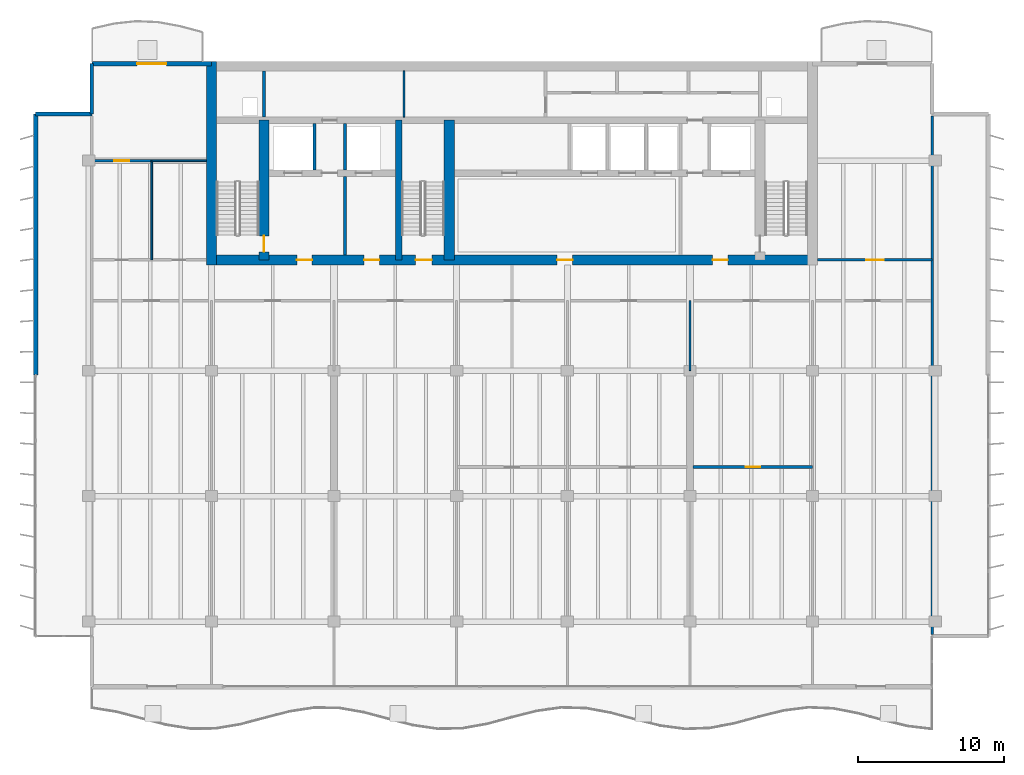
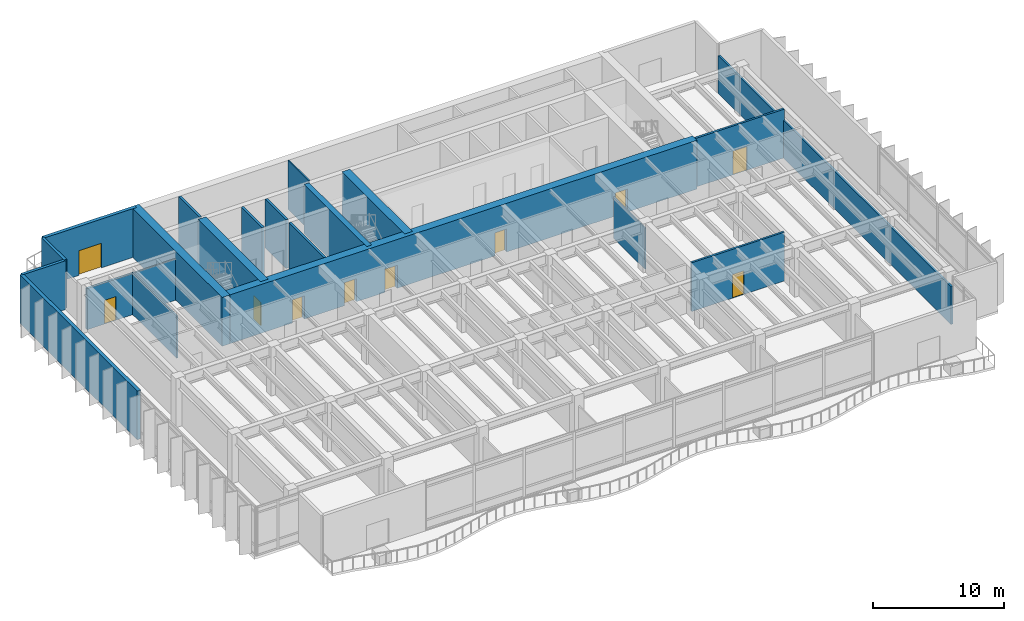
# One storey, part 9 of 15: 21 walls, 10 doors, 10 openings.
"""IFC4 building model written with IfcOpenShell, lengths in metres."""

from ifc_helpers import new_model, si_unit, direction, frame, frame_2d, origin, place, context, subcontext, project, spatial, rectangle, extrude, material, layer, layer_set, type_object, element, fill, save


model = new_model("IFC4")

# Units and contexts
model_context = context("Model", 3, precision=1e-05, world=origin(), true_north=direction((0.0, 1.0)))
body_context = subcontext(model_context, "Body", "Model", "MODEL_VIEW")
ifc_project = project(units=[si_unit("LENGTHUNIT", "METRE"), si_unit("AREAUNIT", "SQUARE_METRE"), si_unit("VOLUMEUNIT", "CUBIC_METRE"), si_unit("PLANEANGLEUNIT", "RADIAN"), si_unit("MASSUNIT", "GRAM", prefix="KILO")], contexts=[model_context])

# Site, building, storey
site_placement = place(None, origin())
site = spatial("IfcSite", under=ifc_project, at=site_placement, CompositionType="ELEMENT")
building_placement = place(site_placement, origin())
building = spatial("IfcBuilding", under=site, at=building_placement, Name="Caelmar Bay Residences", CompositionType="ELEMENT")
storey_placement = place(building_placement, frame((0.0, 0.0, 183.60009765625)))
storey = spatial("IfcBuildingStorey", under=building, at=storey_placement, Name="L51", CompositionType="ELEMENT", Elevation=183.60009765625)

# Wall, openings, doors
ifc_material_1 = material(Name="Concrete f'c 55 MPa (8,000 psi)", Category="concrete")
ifc_layer_1 = layer(ifc_material_1, 0.699951171875)
ifc_layer_set_1 = layer_set([ifc_layer_1], Name="Concrete f'c 55 MPa (8,000 psi)")
wall_type_1 = type_object("IfcWallType", Name="SW-COR-700", PredefinedType="SHEAR", material=ifc_layer_set_1)
wall_1_placement = place(storey_placement, frame((17.949951171875, 37.0, 0.0), z_axis=(0.0, 0.0, 1.0), x_axis=(1.0, 0.0, 0.0)))
wall_1 = element("IfcWall", 1, at=wall_1_placement, inside=storey, type_object=wall_type_1, Name="L51 Rear Core South Shear Wall", PredefinedType="SHEAR", context=body_context, shape_type="SweptSolid", body=[
    extrude(rectangle(XDim=41.900146484375, YDim=0.699951171875, at=frame_2d((20.9501953125, 0.0))), origin(), (0.0, 0.0, 1.0), 4.5498046875),
])
opening_1_placement = place(wall_1_placement, frame((14.35009765625, 0.0, 0.0)))
opening_1 = element("IfcOpeningElement", 2, at=opening_1_placement, cuts=wall_1, Name="Opening D-L51-107", PredefinedType="OPENING", context=body_context, shape_type="SweptSolid", body=[
    extrude(rectangle(XDim=1.10009765625, YDim=2.14990234375, at=frame_2d((0.550048828125, 1.074951171875))), frame((0.0, 0.35986328125, 0.0), z_axis=(0.0, -1.0, 0.0), x_axis=(1.0, 0.0, 0.0)), (0.0, 0.0, 1.0), 0.719970703125),
])
opening_2_placement = place(wall_1_placement, frame((6.199951171875, 0.0, 0.0)))
opening_2 = element("IfcOpeningElement", 3, at=opening_2_placement, cuts=wall_1, Name="Opening D-L51-108", PredefinedType="OPENING", context=body_context, shape_type="SweptSolid", body=[
    extrude(rectangle(XDim=1.050048828125, YDim=2.14990234375, at=frame_2d((0.52490234375, 1.074951171875))), frame((0.0, 0.35986328125, 0.0), z_axis=(0.0, -1.0, 0.0), x_axis=(1.0, 0.0, 0.0)), (0.0, 0.0, 1.0), 0.719970703125),
])
opening_3_placement = place(wall_1_placement, frame((34.699951171875, 0.0, 0.0)))
opening_3 = element("IfcOpeningElement", 4, at=opening_3_placement, cuts=wall_1, Name="Opening D-L51-111", PredefinedType="OPENING", context=body_context, shape_type="SweptSolid", body=[
    extrude(rectangle(XDim=1.050048828125, YDim=2.14990234375, at=frame_2d((0.52490234375, 1.074951171875))), frame((0.0, 0.35986328125, 0.0), z_axis=(0.0, -1.0, 0.0), x_axis=(1.0, 0.0, 0.0)), (0.0, 0.0, 1.0), 0.719970703125),
])
opening_4_placement = place(wall_1_placement, frame((10.8125, 0.0, 0.0)))
opening_4 = element("IfcOpeningElement", 5, at=opening_4_placement, cuts=wall_1, Name="Opening D-L51-114", PredefinedType="OPENING", context=body_context, shape_type="SweptSolid", body=[
    extrude(rectangle(XDim=1.050048828125, YDim=2.14990234375, at=frame_2d((0.52490234375, 1.074951171875))), frame((0.0, 0.35986328125, 0.0), z_axis=(0.0, -1.0, 0.0), x_axis=(1.0, 0.0, 0.0)), (0.0, 0.0, 1.0), 0.719970703125),
])
opening_5_placement = place(wall_1_placement, frame((24.050048828125, 0.0, 0.0)))
opening_5 = element("IfcOpeningElement", 6, at=opening_5_placement, cuts=wall_1, Name="Opening D-L51-115", PredefinedType="OPENING", context=body_context, shape_type="SweptSolid", body=[
    extrude(rectangle(XDim=1.050048828125, YDim=2.14990234375, at=frame_2d((0.52490234375, 1.074951171875))), frame((0.0, 0.35986328125, 0.0), z_axis=(0.0, -1.0, 0.0), x_axis=(1.0, 0.0, 0.0)), (0.0, 0.0, 1.0), 0.719970703125),
])
ifc_material_2 = material(Name="Fire-rated steel and walnut architectural door assembly", Category="steel")
ifc_layer_2 = layer(ifc_material_2, 0.050048828125)
ifc_layer_set_2 = layer_set([ifc_layer_2], Name="Fire-rated steel and walnut architectural door assembly")
door_type_1 = type_object("IfcDoorType", Name="D-FSAE-1050", OperationType="NOTDEFINED", PredefinedType="DOOR", material=ifc_layer_set_2)
door_1_placement = place(opening_2_placement, origin())
door_1 = element("IfcDoor", 7, at=door_1_placement, inside=storey, type_object=door_type_1, Name="L51 Firefighting Lobby West Door", OperationType="SINGLE_SWING_RIGHT", OverallHeight=2.14990234375, OverallWidth=1.050048828125, PredefinedType="DOOR", context=body_context, shape_type="SweptSolid", body=[
    extrude(rectangle(XDim=1.050048828125, YDim=2.14990234375, at=frame_2d((0.52490234375, 1.074951171875))), frame((0.0, 0.02490234375, 0.0), z_axis=(0.0, -1.0, 0.0), x_axis=(1.0, 0.0, 0.0)), (0.0, 0.0, 1.0), 0.050048828125),
])
fill(opening_2, door_1)
door_2_placement = place(opening_3_placement, origin())
door_2 = element("IfcDoor", 8, at=door_2_placement, inside=storey, type_object=door_type_1, Name="L51 Firefighting Lobby East Door", OperationType="SINGLE_SWING_LEFT", OverallHeight=2.14990234375, OverallWidth=1.050048828125, PredefinedType="DOOR", context=body_context, shape_type="SweptSolid", body=[
    extrude(rectangle(XDim=1.050048828125, YDim=2.14990234375, at=frame_2d((0.52490234375, 1.074951171875))), frame((0.0, 0.02490234375, 0.0), z_axis=(0.0, -1.0, 0.0), x_axis=(1.0, 0.0, 0.0)), (0.0, 0.0, 1.0), 0.050048828125),
])
fill(opening_3, door_2)
door_3_placement = place(opening_4_placement, origin())
door_3 = element("IfcDoor", 9, at=door_3_placement, inside=storey, type_object=door_type_1, Name="L51 West Lift Lobby Door", OperationType="SINGLE_SWING_RIGHT", OverallHeight=2.14990234375, OverallWidth=1.050048828125, PredefinedType="DOOR", context=body_context, shape_type="SweptSolid", body=[
    extrude(rectangle(XDim=1.050048828125, YDim=2.14990234375, at=frame_2d((0.52490234375, 1.074951171875))), frame((0.0, 0.02490234375, 0.0), z_axis=(0.0, -1.0, 0.0), x_axis=(1.0, 0.0, 0.0)), (0.0, 0.0, 1.0), 0.050048828125),
])
fill(opening_4, door_3)
door_4_placement = place(opening_5_placement, origin())
door_4 = element("IfcDoor", 10, at=door_4_placement, inside=storey, type_object=door_type_1, Name="L51 Passenger Lift Lobby Door", OperationType="SINGLE_SWING_LEFT", OverallHeight=2.14990234375, OverallWidth=1.050048828125, PredefinedType="DOOR", context=body_context, shape_type="SweptSolid", body=[
    extrude(rectangle(XDim=1.050048828125, YDim=2.14990234375, at=frame_2d((0.52490234375, 1.074951171875))), frame((0.0, 0.02490234375, 0.0), z_axis=(0.0, -1.0, 0.0), x_axis=(1.0, 0.0, 0.0)), (0.0, 0.0, 1.0), 0.050048828125),
])
fill(opening_5, door_4)
ifc_layer_3 = layer(ifc_material_2, 0.050048828125)
ifc_layer_set_3 = layer_set([ifc_layer_3], Name="Fire-rated steel and walnut architectural door assembly")
door_type_2 = type_object("IfcDoorType", Name="D-STAIR-1100", OperationType="NOTDEFINED", PredefinedType="DOOR", material=ifc_layer_set_3)
door_5_placement = place(opening_1_placement, origin())
door_5 = element("IfcDoor", 11, at=door_5_placement, inside=storey, type_object=door_type_2, Name="L51 Exit Stair ST3 Door", OperationType="SINGLE_SWING_LEFT", OverallHeight=2.14990234375, OverallWidth=1.10009765625, PredefinedType="DOOR", context=body_context, shape_type="SweptSolid", body=[
    extrude(rectangle(XDim=1.10009765625, YDim=2.14990234375, at=frame_2d((0.550048828125, 1.074951171875))), frame((0.0, 0.02490234375, 0.0), z_axis=(0.0, -1.0, 0.0), x_axis=(1.0, 0.0, 0.0)), (0.0, 0.0, 1.0), 0.050048828125),
])
fill(opening_1, door_5)

# Wall
wall_2_placement = place(storey_placement, frame((18.300048828125, 36.64990234375, 0.0), z_axis=(0.0, 0.0, 1.0), x_axis=(0.0, 1.0, 0.0)))
element("IfcWall", 12, at=wall_2_placement, inside=storey, type_object=wall_type_1, Name="L51 Rear Core West Shear Wall", PredefinedType="SHEAR", context=body_context, shape_type="SweptSolid", body=[
    extrude(rectangle(XDim=13.9501953125, YDim=0.699951171875, at=frame_2d((6.97509765625, 0.0))), origin(), (0.0, 0.0, 1.0), 4.5498046875),
])

# Wall, opening, door
wall_3_placement = place(storey_placement, frame((21.89990234375, 37.0, 0.0), z_axis=(0.0, 0.0, 1.0), x_axis=(0.0, 1.0, 0.0)))
wall_3 = element("IfcWall", 13, at=wall_3_placement, inside=storey, type_object=wall_type_1, Name="L51 Core Structural Web Wall ST1E", PredefinedType="SHEAR", context=body_context, shape_type="SweptSolid", body=[
    extrude(rectangle(XDim=9.574951171875, YDim=0.699951171875, at=frame_2d((4.78759765625, 0.0))), origin(), (0.0, 0.0, 1.0), 4.5498046875),
])
opening_6_placement = place(wall_3_placement, frame((0.550048828125, 0.0, 0.0)))
opening_6 = element("IfcOpeningElement", 14, at=opening_6_placement, cuts=wall_3, Name="Opening D-L51-109", PredefinedType="OPENING", context=body_context, shape_type="SweptSolid", body=[
    extrude(rectangle(XDim=1.10009765625, YDim=2.14990234375, at=frame_2d((0.550048828125, 1.074951171875))), frame((0.0, 0.35986328125, 0.0), z_axis=(0.0, -1.0, 0.0), x_axis=(1.0, 0.0, 0.0)), (0.0, 0.0, 1.0), 0.719970703125),
])
door_6_placement = place(opening_6_placement, origin())
door_6 = element("IfcDoor", 15, at=door_6_placement, inside=storey, type_object=door_type_2, Name="L51 Firefighting Lobby West Door", OperationType="SINGLE_SWING_LEFT", OverallHeight=2.14990234375, OverallWidth=1.10009765625, PredefinedType="DOOR", context=body_context, shape_type="SweptSolid", body=[
    extrude(rectangle(XDim=1.10009765625, YDim=2.14990234375, at=frame_2d((0.550048828125, 1.074951171875))), frame((0.0, 0.02490234375, 0.0), z_axis=(0.0, -1.0, 0.0), x_axis=(1.0, 0.0, 0.0)), (0.0, 0.0, 1.0), 0.050048828125),
])
fill(opening_6, door_6)

# Walls
wall_4_placement = place(storey_placement, frame((34.60009765625, 37.0, 0.0), z_axis=(0.0, 0.0, 1.0), x_axis=(0.0, 1.0, 0.0)))
element("IfcWall", 16, at=wall_4_placement, inside=storey, type_object=wall_type_1, Name="L51 Core Structural Web Wall ST3E", PredefinedType="SHEAR", context=body_context, shape_type="SweptSolid", body=[
    extrude(rectangle(XDim=9.574951171875, YDim=0.699951171875, at=frame_2d((4.78759765625, 0.0))), origin(), (0.0, 0.0, 1.0), 4.5498046875),
])
ifc_material_3 = material(Name="Concrete f'c 70 MPa (10,000 psi)", Category="concrete")
ifc_layer_4 = layer(ifc_material_3, 0.449951171875)
ifc_layer_set_4 = layer_set([ifc_layer_4], Name="Concrete f'c 70 MPa (10,000 psi)")
wall_type_2 = type_object("IfcWallType", Name="SW-WEB-450", PredefinedType="SHEAR", material=ifc_layer_set_4)
wall_5_placement = place(storey_placement, frame((31.125, 37.0, 0.0), z_axis=(0.0, 0.0, 1.0), x_axis=(0.0, 1.0, 0.0)))
element("IfcWall", 17, at=wall_5_placement, inside=storey, type_object=wall_type_2, Name="L51 Core Structural Web Wall ST3W", PredefinedType="SHEAR", context=body_context, shape_type="SweptSolid", body=[
    extrude(rectangle(XDim=9.574951171875, YDim=0.449951171875, at=frame_2d((4.78759765625, 0.0))), origin(), (0.0, 0.0, 1.0), 4.5498046875),
])
ifc_material_4 = material(Name="Double-stud acoustic fire-rated gypsum partition 180 mm")
ifc_layer_5 = layer(ifc_material_4, 0.179931640625)
ifc_layer_set_5 = layer_set([ifc_layer_5], Name="Double-stud acoustic fire-rated gypsum partition 180 mm")
wall_type_3 = type_object("IfcWallType", Name="W-COR-200", PredefinedType="PARTITIONING", material=ifc_layer_set_5)
wall_6_placement = place(storey_placement, frame((67.699951171875, 11.320068359375, 0.0), z_axis=(0.0, 0.0, 1.0), x_axis=(0.0, 1.0, 0.0)))
element("IfcWall", 18, at=wall_6_placement, inside=storey, type_object=wall_type_3, Name="L51 Partition Wall V026", PredefinedType="PARTITIONING", context=body_context, shape_type="SweptSolid", body=[
    extrude(rectangle(XDim=35.559814453125, YDim=0.179931640625, at=frame_2d((17.77978515625, 0.0))), origin(), (0.0, 0.0, 1.0), 3.513916015625),
])

# Wall, opening, door
wall_7_placement = place(storey_placement, frame((51.320068359375, 22.800048828125, 0.0), z_axis=(0.0, 0.0, 1.0), x_axis=(1.0, 0.0, 0.0)))
wall_7 = element("IfcWall", 19, at=wall_7_placement, inside=storey, type_object=wall_type_3, Name="L51 Partition Wall H028", PredefinedType="PARTITIONING", context=body_context, shape_type="SweptSolid", body=[
    extrude(rectangle(XDim=8.179931640625, YDim=0.179931640625, at=frame_2d((4.08984375, 0.0))), origin(), (0.0, 0.0, 1.0), 4.5498046875),
])
opening_7_placement = place(wall_7_placement, frame((3.590087890625, 0.0, 0.0)))
opening_7 = element("IfcOpeningElement", 20, at=opening_7_placement, cuts=wall_7, Name="Opening D-L51-125", PredefinedType="OPENING", context=body_context, shape_type="SweptSolid", body=[
    extrude(rectangle(XDim=1.0, YDim=2.199951171875, at=frame_2d((0.5, 1.10009765625))), frame((0.0, 0.099853515625, 0.0), z_axis=(0.0, -1.0, 0.0), x_axis=(1.0, 0.0, 0.0)), (0.0, 0.0, 1.0), 0.199951171875),
])
ifc_layer_6 = layer(ifc_material_2, 0.050048828125)
ifc_layer_set_6 = layer_set([ifc_layer_6], Name="Fire-rated steel and walnut architectural door assembly")
door_type_3 = type_object("IfcDoorType", Name="D-UNIT-1000", OperationType="NOTDEFINED", PredefinedType="DOOR", material=ifc_layer_set_6)
door_7_placement = place(opening_7_placement, origin())
door_7 = element("IfcDoor", 21, at=door_7_placement, inside=storey, type_object=door_type_3, Name="L51 Sky Lobby 2 Kitchen Door", OperationType="SINGLE_SWING_LEFT", OverallHeight=2.199951171875, OverallWidth=1.0, PredefinedType="DOOR", context=body_context, shape_type="SweptSolid", body=[
    extrude(rectangle(XDim=1.0, YDim=2.199951171875, at=frame_2d((0.5, 1.10009765625))), frame((0.0, 0.02490234375, 0.0), z_axis=(0.0, -1.0, 0.0), x_axis=(1.0, 0.0, 0.0)), (0.0, 0.0, 1.0), 0.050048828125),
])
fill(opening_7, door_7)

wall_8_placement = place(storey_placement, frame((59.85498046875, 37.0, 0.0), z_axis=(0.0, 0.0, 1.0), x_axis=(1.0, 0.0, 0.0)))
wall_8 = element("IfcWall", 22, at=wall_8_placement, inside=storey, type_object=wall_type_3, Name="L51 Partition Wall H031", PredefinedType="PARTITIONING", context=body_context, shape_type="SweptSolid", body=[
    extrude(rectangle(XDim=7.844970703125, YDim=0.179931640625, at=frame_2d((3.92236328125, 0.0))), origin(), (0.0, 0.0, 1.0), 4.5498046875),
])
opening_8_placement = place(wall_8_placement, frame((3.322509765625, 0.0, 0.0)))
opening_8 = element("IfcOpeningElement", 23, at=opening_8_placement, cuts=wall_8, Name="Opening D-L51-133", PredefinedType="OPENING", context=body_context, shape_type="SweptSolid", body=[
    extrude(rectangle(XDim=1.199951171875, YDim=2.199951171875, at=frame_2d((0.60009765625, 1.10009765625))), frame((0.0, 0.099853515625, 0.0), z_axis=(0.0, -1.0, 0.0), x_axis=(1.0, 0.0, 0.0)), (0.0, 0.0, 1.0), 0.199951171875),
])
ifc_layer_7 = layer(ifc_material_2, 0.050048828125)
ifc_layer_set_7 = layer_set([ifc_layer_7], Name="Fire-rated steel and walnut architectural door assembly")
door_type_4 = type_object("IfcDoorType", Name="D-PLANT-1200", OperationType="NOTDEFINED", PredefinedType="DOOR", material=ifc_layer_set_7)
door_8_placement = place(opening_8_placement, origin())
door_8 = element("IfcDoor", 24, at=door_8_placement, inside=storey, type_object=door_type_4, Name="L51 Sky Lobby 2 Fan Plant Room Door", OperationType="SINGLE_SWING_LEFT", OverallHeight=2.199951171875, OverallWidth=1.199951171875, PredefinedType="DOOR", context=body_context, shape_type="SweptSolid", body=[
    extrude(rectangle(XDim=1.199951171875, YDim=2.199951171875, at=frame_2d((0.60009765625, 1.10009765625))), frame((0.0, 0.02490234375, 0.0), z_axis=(0.0, -1.0, 0.0), x_axis=(1.0, 0.0, 0.0)), (0.0, 0.0, 1.0), 0.050048828125),
])
fill(opening_8, door_8)

wall_9_placement = place(storey_placement, frame((10.10009765625, 43.800048828125, 0.0), z_axis=(0.0, 0.0, 1.0), x_axis=(1.0, 0.0, 0.0)))
wall_9 = element("IfcWall", 25, at=wall_9_placement, inside=storey, type_object=wall_type_3, Name="L51 Partition Wall H032", PredefinedType="PARTITIONING", context=body_context, shape_type="SweptSolid", body=[
    extrude(rectangle(XDim=4.099853515625, YDim=0.179931640625, at=frame_2d((2.0498046875, 0.0))), origin(), (0.0, 0.0, 1.0), 3.8388671875),
])
opening_9_placement = place(wall_9_placement, frame((1.550048828125, 0.0, 0.0)))
opening_9 = element("IfcOpeningElement", 26, at=opening_9_placement, cuts=wall_9, Name="Opening D-L51-136", PredefinedType="OPENING", context=body_context, shape_type="SweptSolid", body=[
    extrude(rectangle(XDim=1.0, YDim=2.199951171875, at=frame_2d((0.5, 1.10009765625))), frame((0.0, 0.099853515625, 0.0), z_axis=(0.0, -1.0, 0.0), x_axis=(1.0, 0.0, 0.0)), (0.0, 0.0, 1.0), 0.199951171875),
])
door_9_placement = place(opening_9_placement, origin())
door_9 = element("IfcDoor", 27, at=door_9_placement, inside=storey, type_object=door_type_3, Name="L51 Sky Lobby 2 Chair Storage Door", OperationType="SINGLE_SWING_RIGHT", OverallHeight=2.199951171875, OverallWidth=1.0, PredefinedType="DOOR", context=body_context, shape_type="SweptSolid", body=[
    extrude(rectangle(XDim=1.0, YDim=2.199951171875, at=frame_2d((0.5, 1.10009765625))), frame((0.0, 0.02490234375, 0.0), z_axis=(0.0, -1.0, 0.0), x_axis=(1.0, 0.0, 0.0)), (0.0, 0.0, 1.0), 0.050048828125),
])
fill(opening_9, door_9)

# Walls
ifc_material_5 = material(Name="Precast concrete f'c 40 MPa (6,000 psi)", Category="concrete")
ifc_layer_8 = layer(ifc_material_5, 0.25)
ifc_layer_set_8 = layer_set([ifc_layer_8], Name="Precast concrete f'c 40 MPa (6,000 psi)")
wall_type_4 = type_object("IfcWallType", Name="W-EXT-250", PredefinedType="ELEMENTEDWALL", material=ifc_layer_set_8)
wall_10_placement = place(storey_placement, frame((6.25, 47.0, 0.0), z_axis=(0.0, 0.0, 1.0), x_axis=(1.0, 0.0, 0.0)))
element("IfcWall", 28, at=wall_10_placement, inside=storey, type_object=wall_type_4, Name="L51 NNW-H Notch Wall", PredefinedType="ELEMENTEDWALL", context=body_context, shape_type="SweptSolid", body=[
    extrude(rectangle(XDim=3.85009765625, YDim=0.25, at=frame_2d((1.925048828125, 0.0))), origin(), (0.0, 0.0, 1.0), 4.5498046875),
])
wall_11_placement = place(storey_placement, frame((10.10009765625, 47.0, 0.0), z_axis=(0.0, 0.0, 1.0), x_axis=(0.0, 1.0, 0.0)))
element("IfcWall", 29, at=wall_11_placement, inside=storey, type_object=wall_type_4, Name="L51 NNW-V Notch Wall", PredefinedType="ELEMENTEDWALL", context=body_context, shape_type="SweptSolid", body=[
    extrude(rectangle(XDim=3.449951171875, YDim=0.25, at=frame_2d((1.72509765625, 0.0))), origin(), (0.0, 0.0, 1.0), 4.5498046875),
])
ifc_layer_9 = layer(ifc_material_5, 0.300048828125)
ifc_layer_set_9 = layer_set([ifc_layer_9], Name="Precast concrete f'c 40 MPa (6,000 psi)")
wall_type_5 = type_object("IfcWallType", Name="W-EXT-300", PredefinedType="STANDARD", material=ifc_layer_set_9)
wall_12_placement = place(storey_placement, frame((6.25, 29.10009765625, 0.0), z_axis=(0.0, 0.0, 1.0), x_axis=(0.0, 1.0, 0.0)))
element("IfcWall", 30, at=wall_12_placement, inside=storey, type_object=wall_type_5, Name="L51 West Rear Exterior Wall", PredefinedType="STANDARD", context=body_context, shape_type="SweptSolid", body=[
    extrude(rectangle(XDim=17.89990234375, YDim=0.300048828125, at=frame_2d((8.949951171875, 0.0))), origin(), (0.0, 0.0, 1.0), 4.5498046875),
])

# Wall, opening, door
wall_13_placement = place(storey_placement, frame((10.10009765625, 50.449951171875, 0.0), z_axis=(0.0, 0.0, 1.0), x_axis=(1.0, 0.0, 0.0)))
wall_13 = element("IfcWall", 31, at=wall_13_placement, inside=storey, type_object=wall_type_5, Name="L51 North-West Wing Exterior Wall", PredefinedType="STANDARD", context=body_context, shape_type="SweptSolid", body=[
    extrude(rectangle(XDim=8.199951171875, YDim=0.300048828125, at=frame_2d((4.10009765625, 0.0))), origin(), (0.0, 0.0, 1.0), 4.5498046875),
])
opening_10_placement = place(wall_13_placement, frame((3.10009765625, 0.0, 0.0)))
opening_10 = element("IfcOpeningElement", 32, at=opening_10_placement, cuts=wall_13, Name="Opening L51-BDNW", PredefinedType="OPENING", context=body_context, shape_type="SweptSolid", body=[
    extrude(rectangle(XDim=2.0, YDim=2.300048828125, at=frame_2d((1.0, 1.14990234375))), frame((0.0, 0.159912109375, 0.0), z_axis=(0.0, -1.0, 0.0), x_axis=(1.0, 0.0, 0.0)), (0.0, 0.0, 1.0), 0.320068359375),
])
ifc_material_6 = material(Name="Anodised bronze thermally broken sliding glass door", Category="glass")
ifc_layer_10 = layer(ifc_material_6, 0.050048828125)
ifc_layer_set_10 = layer_set([ifc_layer_10], Name="Anodised bronze thermally broken sliding glass door")
door_type_5 = type_object("IfcDoorType", Name="D-BAL-2000", OperationType="DOUBLE_DOOR_SLIDING", PredefinedType="DOOR", material=ifc_layer_set_10)
door_10_placement = place(opening_10_placement, origin())
door_10 = element("IfcDoor", 33, at=door_10_placement, inside=storey, type_object=door_type_5, Name="L51 North-West Balcony Door", OperationType="DOUBLE_DOOR_SLIDING", OverallHeight=2.300048828125, OverallWidth=2.0, PredefinedType="DOOR", context=body_context, shape_type="SweptSolid", body=[
    extrude(rectangle(XDim=2.0, YDim=2.300048828125, at=frame_2d((1.0, 1.14990234375))), frame((0.0, 0.02490234375, 0.0), z_axis=(0.0, -1.0, 0.0), x_axis=(1.0, 0.0, 0.0)), (0.0, 0.0, 1.0), 0.050048828125),
])
fill(opening_10, door_10)

# Walls
ifc_material_7 = material(Name="Fire-rated masonry and gypsum shaftliner assembly 200 mm", Category="masonry")
ifc_layer_11 = layer(ifc_material_7, 0.199951171875)
ifc_layer_set_11 = layer_set([ifc_layer_11], Name="Fire-rated masonry and gypsum shaftliner assembly 200 mm")
wall_type_6 = type_object("IfcWallType", Name="W-FSAE-200", PredefinedType="PARTITIONING", material=ifc_layer_set_11)
wall_14_placement = place(storey_placement, frame((21.89990234375, 46.794921875, 0.0), z_axis=(0.0, 0.0, 1.0), x_axis=(0.0, 1.0, 0.0)))
element("IfcWall", 34, at=wall_14_placement, inside=storey, type_object=wall_type_6, Name="L51 Partition Wall V004", PredefinedType="PARTITIONING", context=body_context, shape_type="SweptSolid", body=[
    extrude(rectangle(XDim=3.16015625, YDim=0.199951171875, at=frame_2d((1.580078125, 0.0))), origin(), (0.0, 0.0, 1.0), 4.5498046875),
])
wall_15_placement = place(storey_placement, frame((25.35009765625, 43.169921875, 0.0), z_axis=(0.0, 0.0, 1.0), x_axis=(0.0, 1.0, 0.0)))
element("IfcWall", 35, at=wall_15_placement, inside=storey, type_object=wall_type_6, Name="L51 Partition Wall V005", PredefinedType="PARTITIONING", context=body_context, shape_type="SweptSolid", body=[
    extrude(rectangle(XDim=3.18505859375, YDim=0.199951171875, at=frame_2d((1.592529296875, 0.0))), origin(), (0.0, 0.0, 1.0), 4.5498046875),
])
wall_16_placement = place(storey_placement, frame((27.449951171875, 37.344970703125, 0.0), z_axis=(0.0, 0.0, 1.0), x_axis=(0.0, 1.0, 0.0)))
element("IfcWall", 36, at=wall_16_placement, inside=storey, type_object=wall_type_6, Name="L51 Partition Wall V008", PredefinedType="PARTITIONING", context=body_context, shape_type="SweptSolid", body=[
    extrude(rectangle(XDim=5.385009765625, YDim=0.199951171875, at=frame_2d((2.6923828125, 0.0))), origin(), (0.0, 0.0, 1.0), 4.5498046875),
])
wall_17_placement = place(storey_placement, frame((27.449951171875, 43.169921875, 0.0), z_axis=(0.0, 0.0, 1.0), x_axis=(0.0, 1.0, 0.0)))
element("IfcWall", 37, at=wall_17_placement, inside=storey, type_object=wall_type_6, Name="L51 Partition Wall V009", PredefinedType="PARTITIONING", context=body_context, shape_type="SweptSolid", body=[
    extrude(rectangle(XDim=3.18505859375, YDim=0.199951171875, at=frame_2d((1.592529296875, 0.0))), origin(), (0.0, 0.0, 1.0), 4.5498046875),
])
ifc_material_8 = material(Name="Acoustic metal-stud gypsum partition 120 mm")
ifc_layer_12 = layer(ifc_material_8, 0.1201171875)
ifc_layer_set_12 = layer_set([ifc_layer_12], Name="Acoustic metal-stud gypsum partition 120 mm")
wall_type_7 = type_object("IfcWallType", Name="W-PRT-120", PredefinedType="PARTITIONING", material=ifc_layer_set_12)
wall_18_placement = place(storey_placement, frame((14.199951171875, 37.0, 0.0), z_axis=(0.0, 0.0, 1.0), x_axis=(0.0, 1.0, 0.0)))
element("IfcWall", 38, at=wall_18_placement, inside=storey, type_object=wall_type_7, Name="L51 Partition Wall V002", PredefinedType="PARTITIONING", context=body_context, shape_type="SweptSolid", body=[
    extrude(rectangle(XDim=6.800048828125, YDim=0.1201171875, at=frame_2d((3.39990234375, 0.0))), origin(), (0.0, 0.0, 1.0), 3.9228515625),
])
wall_19_placement = place(storey_placement, frame((31.5, 46.794921875, 0.0), z_axis=(0.0, 0.0, 1.0), x_axis=(0.0, 1.0, 0.0)))
element("IfcWall", 39, at=wall_19_placement, inside=storey, type_object=wall_type_7, Name="L51 Partition Wall V010", PredefinedType="PARTITIONING", context=body_context, shape_type="SweptSolid", body=[
    extrude(rectangle(XDim=3.16015625, YDim=0.1201171875, at=frame_2d((1.580078125, 0.0))), origin(), (0.0, 0.0, 1.0), 4.5498046875),
])
wall_20_placement = place(storey_placement, frame((51.10009765625, 29.405029296875, 0.0), z_axis=(0.0, 0.0, 1.0), x_axis=(0.0, 1.0, 0.0)))
element("IfcWall", 40, at=wall_20_placement, inside=storey, type_object=wall_type_7, Name="L51 Partition Wall V022", PredefinedType="PARTITIONING", context=body_context, shape_type="SweptSolid", body=[
    extrude(rectangle(XDim=4.794921875, YDim=0.1201171875, at=frame_2d((2.3974609375, 0.0))), origin(), (0.0, 0.0, 1.0), 3.8349609375),
])
wall_21_placement = place(storey_placement, frame((14.205078125, 43.800048828125, 0.0), z_axis=(0.0, 0.0, 1.0), x_axis=(1.0, 0.0, 0.0)))
element("IfcWall", 41, at=wall_21_placement, inside=storey, type_object=wall_type_7, Name="L51 Partition Wall H033", PredefinedType="PARTITIONING", context=body_context, shape_type="SweptSolid", body=[
    extrude(rectangle(XDim=3.75, YDim=0.1201171875, at=frame_2d((1.875, 0.0))), origin(), (0.0, 0.0, 1.0), 3.8388671875),
])

save(model, "model.ifc")
